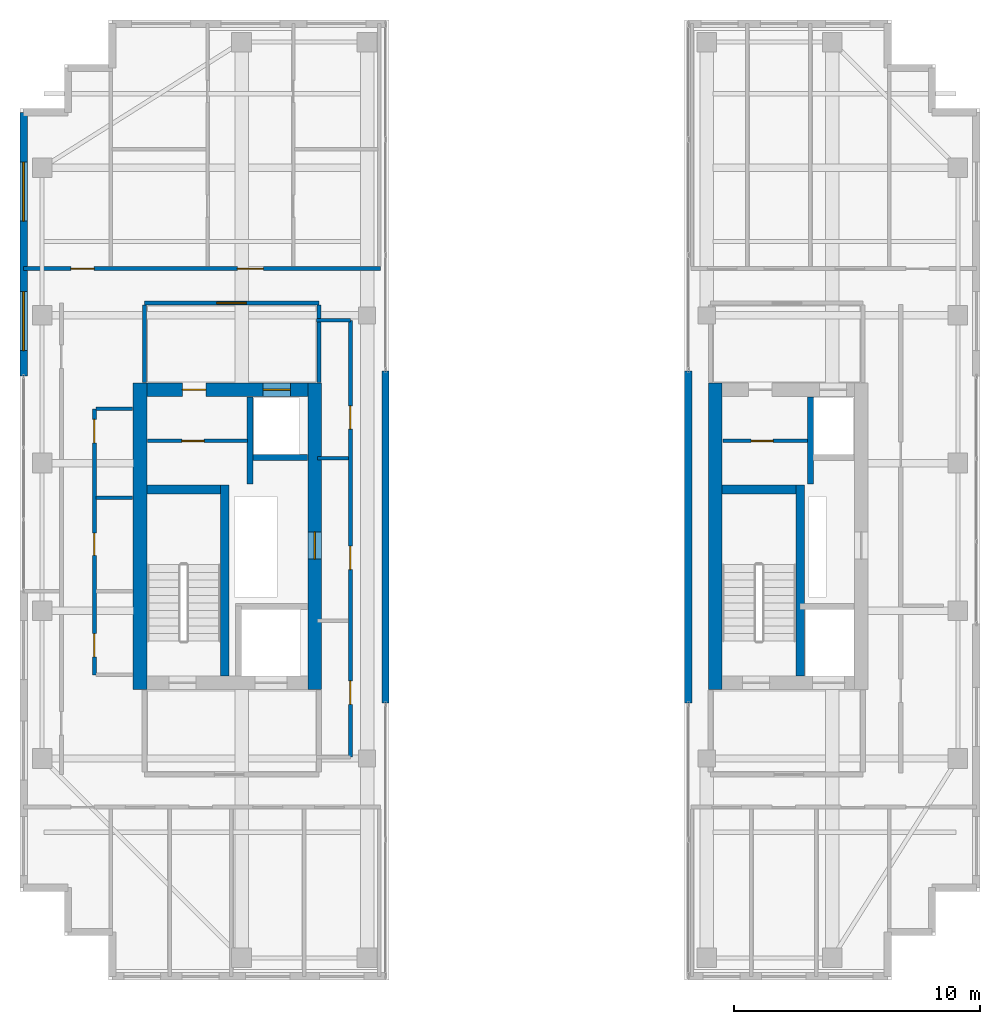
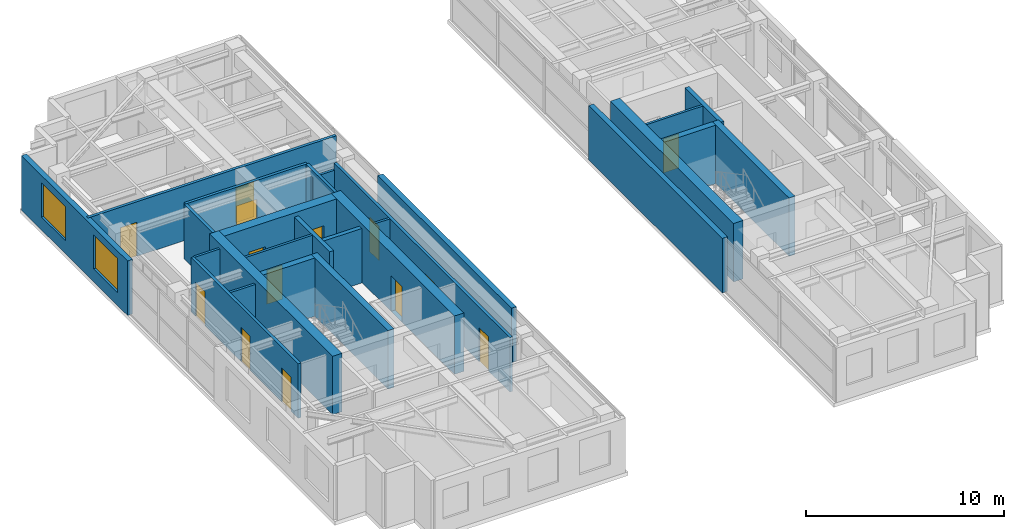
# One storey, part 19 of 23: 26 walls, 14 doors, 2 windows, 16 openings.
"""IFC4 building model written with IfcOpenShell, lengths in metres."""

from ifc_helpers import new_model, si_unit, direction, frame, frame_2d, origin, place, context, subcontext, project, spatial, rectangle, extrude, source, transform, mapped, material, layer, layer_set, type_object, element, fill, save


model = new_model("IFC4")

# Units and contexts
model_context = context("Model", 3, precision=1e-05, world=origin(), true_north=direction((0.0, 1.0)))
body_context = subcontext(model_context, "Body", "Model", "MODEL_VIEW")
ifc_project = project(units=[si_unit("LENGTHUNIT", "METRE"), si_unit("AREAUNIT", "SQUARE_METRE"), si_unit("VOLUMEUNIT", "CUBIC_METRE"), si_unit("PLANEANGLEUNIT", "RADIAN"), si_unit("MASSUNIT", "GRAM", prefix="KILO")], contexts=[model_context])

# Site, building, storey
site_placement = place(None, origin())
site = spatial("IfcSite", under=ifc_project, at=site_placement, CompositionType="ELEMENT")
building_placement = place(site_placement, origin())
building = spatial("IfcBuilding", under=site, at=building_placement, Name="Khoralis Quay Care Tower", CompositionType="ELEMENT")
storey_placement = place(building_placement, frame((0.0, 0.0, 252.89990234375)))
storey = spatial("IfcBuildingStorey", under=building, at=storey_placement, Name="L66", CompositionType="ELEMENT", Elevation=252.89990234375)

# Wall
ifc_material_1 = material(Name="Concrete C65/80", Category="concrete")
ifc_layer_1 = layer(ifc_material_1, 0.550048828125)
ifc_layer_set_1 = layer_set([ifc_layer_1], Name="Concrete C65/80")
wall_type_1 = type_object("IfcWallType", Name="WL-CORE-550", PredefinedType="SHEAR", material=ifc_layer_set_1)
wall_1_placement = place(storey_placement, frame((7.875, 14.800048828125, 0.0), z_axis=(0.0, 0.0, 1.0), x_axis=(0.0, 1.0, 0.0)))
element("IfcWall", 1, at=wall_1_placement, inside=storey, type_object=wall_type_1, Name="L66 WCORE West Shear Wall", PredefinedType="SHEAR", context=body_context, shape_type="SweptSolid", body=[
    extrude(rectangle(XDim=12.449951171875, YDim=0.550048828125, at=frame_2d((6.22509765625, 0.0))), origin(), (0.0, 0.0, 1.0), 3.60009765625),
])

# Wall, opening, door
wall_2_placement = place(storey_placement, frame((14.97509765625, 14.800048828125, 0.0), z_axis=(0.0, 0.0, 1.0), x_axis=(0.0, 1.0, 0.0)))
wall_2 = element("IfcWall", 2, at=wall_2_placement, inside=storey, type_object=wall_type_1, Name="L66 WCORE East Shear Wall", PredefinedType="SHEAR", context=body_context, shape_type="SweptSolid", body=[
    extrude(rectangle(XDim=12.449951171875, YDim=0.550048828125, at=frame_2d((6.22509765625, 0.0))), origin(), (0.0, 0.0, 1.0), 3.60009765625),
])
opening_1_placement = place(wall_2_placement, frame((5.300048828125, 0.0, 0.0)))
opening_1 = element("IfcOpeningElement", 3, at=opening_1_placement, cuts=wall_2, Name="Opening SD1", PredefinedType="OPENING", context=body_context, shape_type="SweptSolid", body=[
    extrude(rectangle(XDim=1.10009765625, YDim=2.199951171875, at=frame_2d((0.550048828125, 1.10009765625))), frame((0.0, 0.28515625, 0.0), z_axis=(0.0, -1.0, 0.0), x_axis=(1.0, 0.0, 0.0)), (0.0, 0.0, 1.0), 0.570068359375),
])
ifc_material_2 = material(Name="Fire-rated painted steel", Category="steel")
door_type_1 = type_object("IfcDoorType", Name="DR-STAIR-1100X2200", OperationType="NOTDEFINED", PredefinedType="DOOR", material=ifc_material_2)
shared_shape_1 = source(origin(), body_context, "Body", "SweptSolid", [
    extrude(rectangle(XDim=1.10009765625, YDim=2.199951171875, at=frame_2d((0.550048828125, 1.10009765625))), frame((0.0, 0.02490234375, 0.0), z_axis=(0.0, -1.0, 0.0), x_axis=(1.0, 0.0, 0.0)), (0.0, 0.0, 1.0), 0.050048828125),
])
door_1_placement = place(opening_1_placement, origin())
door_1 = element("IfcDoor", 4, at=door_1_placement, inside=storey, type_object=door_type_1, Name="L66 West MEP Riser Door", OperationType="SINGLE_SWING_RIGHT", OverallHeight=2.199951171875, OverallWidth=1.10009765625, PredefinedType="DOOR", context=body_context, shape_type="MappedRepresentation", body=[
    mapped(shared_shape_1, transform((0.0, 0.0, 0.0), scale=1.0)),
])
fill(opening_1, door_1)

# Wall, openings, doors
wall_3_placement = place(storey_placement, frame((8.14990234375, 26.97509765625, 0.0), z_axis=(0.0, 0.0, 1.0), x_axis=(1.0, 0.0, 0.0)))
wall_3 = element("IfcWall", 5, at=wall_3_placement, inside=storey, type_object=wall_type_1, Name="L66 WCORE North Shear Wall", PredefinedType="SHEAR", context=body_context, shape_type="SweptSolid", body=[
    extrude(rectangle(XDim=6.550048828125, YDim=0.550048828125, at=frame_2d((3.27490234375, 0.0))), origin(), (0.0, 0.0, 1.0), 3.60009765625),
])
opening_2_placement = place(wall_3_placement, frame((1.449951171875, 0.0, 0.0)))
opening_2 = element("IfcOpeningElement", 6, at=opening_2_placement, cuts=wall_3, Name="Opening ID1", PredefinedType="OPENING", context=body_context, shape_type="SweptSolid", body=[
    extrude(rectangle(XDim=0.949951171875, YDim=2.10009765625, at=frame_2d((0.47509765625, 1.050048828125))), frame((0.0, 0.28515625, 0.0), z_axis=(0.0, -1.0, 0.0), x_axis=(1.0, 0.0, 0.0)), (0.0, 0.0, 1.0), 0.570068359375),
])
opening_3_placement = place(wall_3_placement, frame((4.72998046875, 0.0, 0.0)))
opening_3 = element("IfcOpeningElement", 7, at=opening_3_placement, cuts=wall_3, Name="Opening LD1", PredefinedType="OPENING", context=body_context, shape_type="SweptSolid", body=[
    extrude(rectangle(XDim=1.10009765625, YDim=2.199951171875, at=frame_2d((0.550048828125, 1.10009765625))), frame((0.0, 0.28515625, 0.0), z_axis=(0.0, -1.0, 0.0), x_axis=(1.0, 0.0, 0.0)), (0.0, 0.0, 1.0), 0.570068359375),
])
ifc_material_3 = material(Name="Brushed stainless steel", Category="steel")
door_type_2 = type_object("IfcDoorType", Name="DR-LIFT-1100X2200", OperationType="SLIDING_TO_LEFT", PredefinedType="DOOR", material=ifc_material_3)
shared_shape_2 = source(origin(), body_context, "Body", "SweptSolid", [
    extrude(rectangle(XDim=1.10009765625, YDim=2.199951171875, at=frame_2d((0.550048828125, 1.10009765625))), frame((0.0, 0.02490234375, 0.0), z_axis=(0.0, -1.0, 0.0), x_axis=(1.0, 0.0, 0.0)), (0.0, 0.0, 1.0), 0.050048828125),
])
door_2_placement = place(opening_3_placement, origin())
door_2 = element("IfcDoor", 8, at=door_2_placement, inside=storey, type_object=door_type_2, Name="L66 Lift PLH1 Landing Door", OperationType="SLIDING_TO_LEFT", OverallHeight=2.199951171875, OverallWidth=1.10009765625, PredefinedType="DOOR", context=body_context, shape_type="MappedRepresentation", body=[
    mapped(shared_shape_2, transform((0.0, 0.0, 0.0), scale=1.0)),
])
fill(opening_3, door_2)
ifc_material_4 = material(Name="Acoustic hardwood timber", Category="wood")
door_type_3 = type_object("IfcDoorType", Name="DR-ROOM-950X2100", OperationType="NOTDEFINED", PredefinedType="DOOR", material=ifc_material_4)
shared_shape_3 = source(origin(), body_context, "Body", "SweptSolid", [
    extrude(rectangle(XDim=0.949951171875, YDim=2.10009765625, at=frame_2d((0.47509765625, 1.050048828125))), frame((0.0, 0.02490234375, 0.0), z_axis=(0.0, -1.0, 0.0), x_axis=(1.0, 0.0, 0.0)), (0.0, 0.0, 1.0), 0.050048828125),
])
door_3_placement = place(opening_2_placement, frame((0.949951171875, 0.0, 0.0), z_axis=(0.0, 0.0, 1.0), x_axis=(-1.0, 0.0, 0.0)))
door_3 = element("IfcDoor", 9, at=door_3_placement, inside=storey, type_object=door_type_3, Name="L66 Telemetry Study Door", OperationType="SINGLE_SWING_RIGHT", OverallHeight=2.10009765625, OverallWidth=0.949951171875, PredefinedType="DOOR", context=body_context, shape_type="MappedRepresentation", body=[
    mapped(shared_shape_3, transform((0.0, 0.0, 0.0), scale=1.0)),
])
fill(opening_2, door_3)

# Wall
wall_4_placement = place(storey_placement, frame((31.2451171875, 14.800048828125, 0.0), z_axis=(0.0, 0.0, 1.0), x_axis=(0.0, 1.0, 0.0)))
element("IfcWall", 10, at=wall_4_placement, inside=storey, type_object=wall_type_1, Name="L66 ECORE West Shear Wall", PredefinedType="SHEAR", context=body_context, shape_type="SweptSolid", body=[
    extrude(rectangle(XDim=12.449951171875, YDim=0.550048828125, at=frame_2d((6.22509765625, 0.0))), origin(), (0.0, 0.0, 1.0), 3.60009765625),
])

# Wall, opening, door
ifc_material_5 = material(Name="Gypsum plasterboard on acoustic metal stud")
ifc_layer_2 = layer(ifc_material_5, 0.1650390625)
ifc_layer_set_2 = layer_set([ifc_layer_2], Name="Gypsum plasterboard on acoustic metal stud")
wall_type_2 = type_object("IfcWallType", Name="WL-CORR-165", PredefinedType="PARTITIONING", material=ifc_layer_set_2)
wall_5_placement = place(storey_placement, frame((8.050048828125, 30.5, 0.0), z_axis=(0.0, 0.0, 1.0), x_axis=(1.0, 0.0, 0.0)))
wall_5 = element("IfcWall", 11, at=wall_5_placement, inside=storey, type_object=wall_type_2, Name="L66 West Lift Lobby North Wall", PredefinedType="PARTITIONING", context=body_context, shape_type="SweptSolid", body=[
    extrude(rectangle(XDim=7.099853515625, YDim=0.1650390625, at=frame_2d((3.5498046875, 0.0))), origin(), (0.0, 0.0, 1.0), 3.360107421875),
])
opening_4_placement = place(wall_5_placement, frame((2.949951171875, 0.0, 0.0)))
opening_4 = element("IfcOpeningElement", 12, at=opening_4_placement, cuts=wall_5, Name="Opening FD1", PredefinedType="OPENING", context=body_context, shape_type="SweptSolid", body=[
    extrude(rectangle(XDim=1.199951171875, YDim=2.199951171875, at=frame_2d((0.60009765625, 1.10009765625))), frame((0.0, 0.092529296875, 0.0), z_axis=(0.0, -1.0, 0.0), x_axis=(1.0, 0.0, 0.0)), (0.0, 0.0, 1.0), 0.18505859375),
])
door_type_4 = type_object("IfcDoorType", Name="DR-FFL-1200X2200", OperationType="NOTDEFINED", PredefinedType="DOOR", material=ifc_material_2)
shared_shape_4 = source(origin(), body_context, "Body", "SweptSolid", [
    extrude(rectangle(XDim=1.199951171875, YDim=2.199951171875, at=frame_2d((0.60009765625, 1.10009765625))), frame((0.0, 0.02490234375, 0.0), z_axis=(0.0, -1.0, 0.0), x_axis=(1.0, 0.0, 0.0)), (0.0, 0.0, 1.0), 0.050048828125),
])
door_4_placement = place(opening_4_placement, origin())
door_4 = element("IfcDoor", 13, at=door_4_placement, inside=storey, type_object=door_type_4, Name="L66 West Lift Lobby Double Door", OperationType="DOUBLE_DOOR_SINGLE_SWING", OverallHeight=2.199951171875, OverallWidth=1.199951171875, PredefinedType="DOOR", context=body_context, shape_type="MappedRepresentation", body=[
    mapped(shared_shape_4, transform((0.0, 0.0, 0.0), scale=1.0)),
])
fill(opening_4, door_4)

# Walls
for number, where, z_axis, x_axis, name in (
    (14, (8.050048828125, 27.27001953125, 0.0), (0.0, 0.0, 1.0), (0.0, 1.0, 0.0), "L66 West Lift Lobby West Wall"),
    (15, (15.14990234375, 27.27001953125, 0.0), (0.0, 0.0, 1.0), (0.0, 1.0, 0.0), "L66 West Lift Lobby East Wall"),
):
    element("IfcWall", number, at=place(storey_placement, frame(where, z_axis=z_axis, x_axis=x_axis)), inside=storey, type_object=wall_type_2, Name=name, PredefinedType="PARTITIONING", context=body_context, shape_type="SweptSolid", body=[
        extrude(rectangle(XDim=3.152587890625, YDim=0.1650390625, at=frame_2d((1.576171875, 0.0))), origin(), (0.0, 0.0, 1.0), 3.360107421875),
    ])

# Wall, openings, doors
wall_6_placement = place(storey_placement, frame((6.02001953125, 15.39990234375, 0.0), z_axis=(0.0, 0.0, 1.0), x_axis=(0.0, 1.0, 0.0)))
wall_6 = element("IfcWall", 16, at=wall_6_placement, inside=storey, type_object=wall_type_2, Name="L66 West Core Service Flank Wall", PredefinedType="PARTITIONING", context=body_context, shape_type="SweptSolid", body=[
    extrude(rectangle(XDim=10.800048828125, YDim=0.1650390625, at=frame_2d((5.39990234375, 0.0))), origin(), (0.0, 0.0, 1.0), 3.360107421875),
])
opening_5_placement = place(wall_6_placement, frame((0.72509765625, 0.0, 0.0)))
opening_5 = element("IfcOpeningElement", 17, at=opening_5_placement, cuts=wall_6, Name="Opening ID1", PredefinedType="OPENING", context=body_context, shape_type="SweptSolid", body=[
    extrude(rectangle(XDim=0.949951171875, YDim=2.10009765625, at=frame_2d((0.47509765625, 1.050048828125))), frame((0.0, 0.092529296875, 0.0), z_axis=(0.0, -1.0, 0.0), x_axis=(1.0, 0.0, 0.0)), (0.0, 0.0, 1.0), 0.18505859375),
])
opening_6_placement = place(wall_6_placement, frame((4.85009765625, 0.0, 0.0)))
opening_6 = element("IfcOpeningElement", 18, at=opening_6_placement, cuts=wall_6, Name="Opening WD1", PredefinedType="OPENING", context=body_context, shape_type="SweptSolid", body=[
    extrude(rectangle(XDim=0.89990234375, YDim=2.10009765625, at=frame_2d((0.449951171875, 1.050048828125))), frame((0.0, 0.092529296875, 0.0), z_axis=(0.0, -1.0, 0.0), x_axis=(1.0, 0.0, 0.0)), (0.0, 0.0, 1.0), 0.18505859375),
])
opening_7_placement = place(wall_6_placement, frame((9.425048828125, 0.0, 0.0)))
opening_7 = element("IfcOpeningElement", 19, at=opening_7_placement, cuts=wall_6, Name="Opening ID1", PredefinedType="OPENING", context=body_context, shape_type="SweptSolid", body=[
    extrude(rectangle(XDim=0.949951171875, YDim=2.10009765625, at=frame_2d((0.47509765625, 1.050048828125))), frame((0.0, 0.092529296875, 0.0), z_axis=(0.0, -1.0, 0.0), x_axis=(1.0, 0.0, 0.0)), (0.0, 0.0, 1.0), 0.18505859375),
])
door_type_5 = type_object("IfcDoorType", Name="DR-BATH-900X2100", OperationType="NOTDEFINED", PredefinedType="DOOR", material=ifc_material_4)
shared_shape_5 = source(origin(), body_context, "Body", "SweptSolid", [
    extrude(rectangle(XDim=0.89990234375, YDim=2.10009765625, at=frame_2d((0.449951171875, 1.050048828125))), frame((0.0, 0.02490234375, 0.0), z_axis=(0.0, -1.0, 0.0), x_axis=(1.0, 0.0, 0.0)), (0.0, 0.0, 1.0), 0.050048828125),
])
door_5_placement = place(opening_6_placement, frame((0.89990234375, 0.0, 0.0), z_axis=(0.0, 0.0, 1.0), x_axis=(-1.0, 0.0, 0.0)))
door_5 = element("IfcDoor", 20, at=door_5_placement, inside=storey, type_object=door_type_5, Name="L66 Public Accessible WC Door", OperationType="SINGLE_SWING_RIGHT", OverallHeight=2.10009765625, OverallWidth=0.89990234375, PredefinedType="DOOR", context=body_context, shape_type="MappedRepresentation", body=[
    mapped(shared_shape_5, transform((0.0, 0.0, 0.0), scale=1.0)),
])
fill(opening_6, door_5)
door_6_placement = place(opening_5_placement, frame((0.949951171875, 0.0, 0.0), z_axis=(0.0, 0.0, 1.0), x_axis=(-1.0, 0.0, 0.0)))
door_6 = element("IfcDoor", 21, at=door_6_placement, inside=storey, type_object=door_type_3, Name="L66 Clean Utility Store Door", OperationType="SINGLE_SWING_LEFT", OverallHeight=2.10009765625, OverallWidth=0.949951171875, PredefinedType="DOOR", context=body_context, shape_type="MappedRepresentation", body=[
    mapped(shared_shape_3, transform((0.0, 0.0, 0.0), scale=1.0)),
])
fill(opening_5, door_6)
door_7_placement = place(opening_7_placement, frame((0.949951171875, 0.0, 0.0), z_axis=(0.0, 0.0, 1.0), x_axis=(-1.0, 0.0, 0.0)))
door_7 = element("IfcDoor", 22, at=door_7_placement, inside=storey, type_object=door_type_3, Name="L66 Electrical Switchboard Room Door", OperationType="SINGLE_SWING_LEFT", OverallHeight=2.10009765625, OverallWidth=0.949951171875, PredefinedType="DOOR", context=body_context, shape_type="MappedRepresentation", body=[
    mapped(shared_shape_3, transform((0.0, 0.0, 0.0), scale=1.0)),
])
fill(opening_7, door_7)

wall_7_placement = place(storey_placement, frame((3.14501953125, 31.89990234375, 0.0), z_axis=(0.0, 0.0, 1.0), x_axis=(1.0, 0.0, 0.0)))
wall_7 = element("IfcWall", 23, at=wall_7_placement, inside=storey, type_object=wall_type_2, Name="L66 West Wing North Corridor Wall", PredefinedType="PARTITIONING", context=body_context, shape_type="SweptSolid", body=[
    extrude(rectangle(XDim=14.5048828125, YDim=0.1650390625, at=frame_2d((7.25244140625, 0.0))), origin(), (0.0, 0.0, 1.0), 3.360107421875),
])
opening_8_placement = place(wall_7_placement, frame((8.6884765625, 0.0, 0.0)))
opening_8 = element("IfcOpeningElement", 24, at=opening_8_placement, cuts=wall_7, Name="Opening UD1", PredefinedType="OPENING", context=body_context, shape_type="SweptSolid", body=[
    extrude(rectangle(XDim=1.050048828125, YDim=2.14990234375, at=frame_2d((0.52490234375, 1.074951171875))), frame((0.0, 0.092529296875, 0.0), z_axis=(0.0, -1.0, 0.0), x_axis=(1.0, 0.0, 0.0)), (0.0, 0.0, 1.0), 0.18505859375),
])
opening_9_placement = place(wall_7_placement, frame((1.919921875, 0.0, 0.0)))
opening_9 = element("IfcOpeningElement", 25, at=opening_9_placement, cuts=wall_7, Name="Opening ID1", PredefinedType="OPENING", context=body_context, shape_type="SweptSolid", body=[
    extrude(rectangle(XDim=0.949951171875, YDim=2.10009765625, at=frame_2d((0.47509765625, 1.050048828125))), frame((0.0, 0.092529296875, 0.0), z_axis=(0.0, -1.0, 0.0), x_axis=(1.0, 0.0, 0.0)), (0.0, 0.0, 1.0), 0.18505859375),
])
door_8_placement = place(opening_9_placement, origin())
door_8 = element("IfcDoor", 26, at=door_8_placement, inside=storey, type_object=door_type_3, Name="L66 NW Corner Door", OperationType="SINGLE_SWING_RIGHT", OverallHeight=2.10009765625, OverallWidth=0.949951171875, PredefinedType="DOOR", context=body_context, shape_type="MappedRepresentation", body=[
    mapped(shared_shape_3, transform((0.0, 0.0, 0.0), scale=1.0)),
])
fill(opening_9, door_8)
door_type_6 = type_object("IfcDoorType", Name="DR-SUITE-1050X2150", OperationType="NOTDEFINED", PredefinedType="DOOR", material=ifc_material_4)
shared_shape_6 = source(origin(), body_context, "Body", "SweptSolid", [
    extrude(rectangle(XDim=1.050048828125, YDim=2.14990234375, at=frame_2d((0.52490234375, 1.074951171875))), frame((0.0, 0.02490234375, 0.0), z_axis=(0.0, -1.0, 0.0), x_axis=(1.0, 0.0, 0.0)), (0.0, 0.0, 1.0), 0.050048828125),
])
door_9_placement = place(opening_8_placement, origin())
door_9 = element("IfcDoor", 27, at=door_9_placement, inside=storey, type_object=door_type_6, Name="L66 2BR WN0 Entrance", OperationType="SINGLE_SWING_LEFT", OverallHeight=2.14990234375, OverallWidth=1.050048828125, PredefinedType="DOOR", context=body_context, shape_type="MappedRepresentation", body=[
    mapped(shared_shape_6, transform((0.0, 0.0, 0.0), scale=1.0)),
])
fill(opening_8, door_9)

wall_8_placement = place(storey_placement, frame((16.419921875, 12.050048828125, 0.0), z_axis=(0.0, 0.0, 1.0), x_axis=(0.0, 1.0, 0.0)))
wall_8 = element("IfcWall", 28, at=wall_8_placement, inside=storey, type_object=wall_type_2, Name="L66 Portal Gallery Wall", PredefinedType="PARTITIONING", context=body_context, shape_type="SweptSolid", body=[
    extrude(rectangle(XDim=17.75, YDim=0.1650390625, at=frame_2d((8.875, 0.0))), origin(), (0.0, 0.0, 1.0), 3.360107421875),
])
opening_10_placement = place(wall_8_placement, frame((2.14990234375, 0.0, 0.0)))
opening_10 = element("IfcOpeningElement", 29, at=opening_10_placement, cuts=wall_8, Name="Opening ID1", PredefinedType="OPENING", context=body_context, shape_type="SweptSolid", body=[
    extrude(rectangle(XDim=0.949951171875, YDim=2.10009765625, at=frame_2d((0.47509765625, 1.050048828125))), frame((0.0, 0.092529296875, 0.0), z_axis=(0.0, -1.0, 0.0), x_axis=(1.0, 0.0, 0.0)), (0.0, 0.0, 1.0), 0.18505859375),
])
opening_11_placement = place(wall_8_placement, frame((7.625, 0.0, 0.0)))
opening_11 = element("IfcOpeningElement", 30, at=opening_11_placement, cuts=wall_8, Name="Opening ID1", PredefinedType="OPENING", context=body_context, shape_type="SweptSolid", body=[
    extrude(rectangle(XDim=0.949951171875, YDim=2.10009765625, at=frame_2d((0.47509765625, 1.050048828125))), frame((0.0, 0.092529296875, 0.0), z_axis=(0.0, -1.0, 0.0), x_axis=(1.0, 0.0, 0.0)), (0.0, 0.0, 1.0), 0.18505859375),
])
opening_12_placement = place(wall_8_placement, frame((13.324951171875, 0.0, 0.0)))
opening_12 = element("IfcOpeningElement", 31, at=opening_12_placement, cuts=wall_8, Name="Opening ID1", PredefinedType="OPENING", context=body_context, shape_type="SweptSolid", body=[
    extrude(rectangle(XDim=0.949951171875, YDim=2.10009765625, at=frame_2d((0.47509765625, 1.050048828125))), frame((0.0, 0.092529296875, 0.0), z_axis=(0.0, -1.0, 0.0), x_axis=(1.0, 0.0, 0.0)), (0.0, 0.0, 1.0), 0.18505859375),
])
door_10_placement = place(opening_10_placement, frame((0.949951171875, 0.0, 0.0), z_axis=(0.0, 0.0, 1.0), x_axis=(-1.0, 0.0, 0.0)))
door_10 = element("IfcDoor", 32, at=door_10_placement, inside=storey, type_object=door_type_3, Name="L66 Portal Case Meeting Room Door", OperationType="SINGLE_SWING_LEFT", OverallHeight=2.10009765625, OverallWidth=0.949951171875, PredefinedType="DOOR", context=body_context, shape_type="MappedRepresentation", body=[
    mapped(shared_shape_3, transform((0.0, 0.0, 0.0), scale=1.0)),
])
fill(opening_10, door_10)
door_11_placement = place(opening_11_placement, frame((0.949951171875, 0.0, 0.0), z_axis=(0.0, 0.0, 1.0), x_axis=(-1.0, 0.0, 0.0)))
door_11 = element("IfcDoor", 33, at=door_11_placement, inside=storey, type_object=door_type_3, Name="L66 Portal Pharmacy Kiosk Door", OperationType="SINGLE_SWING_LEFT", OverallHeight=2.10009765625, OverallWidth=0.949951171875, PredefinedType="DOOR", context=body_context, shape_type="MappedRepresentation", body=[
    mapped(shared_shape_3, transform((0.0, 0.0, 0.0), scale=1.0)),
])
fill(opening_11, door_11)
door_12_placement = place(opening_12_placement, frame((0.949951171875, 0.0, 0.0), z_axis=(0.0, 0.0, 1.0), x_axis=(-1.0, 0.0, 0.0)))
door_12 = element("IfcDoor", 34, at=door_12_placement, inside=storey, type_object=door_type_3, Name="L66 Portal Consultation Clinic Door", OperationType="SINGLE_SWING_LEFT", OverallHeight=2.10009765625, OverallWidth=0.949951171875, PredefinedType="DOOR", context=body_context, shape_type="MappedRepresentation", body=[
    mapped(shared_shape_3, transform((0.0, 0.0, 0.0), scale=1.0)),
])
fill(opening_12, door_12)

# Wall
ifc_material_6 = material(Name="Precast concrete C45/55", Category="concrete")
ifc_layer_3 = layer(ifc_material_6, 0.300048828125)
ifc_layer_set_3 = layer_set([ifc_layer_3], Name="Precast concrete C45/55")
wall_type_3 = type_object("IfcWallType", Name="WL-EXT-REF-300", PredefinedType="SOLIDWALL", material=ifc_layer_set_3)
wall_9_placement = place(storey_placement, frame((17.85009765625, 14.25, 0.0), z_axis=(0.0, 0.0, 1.0), x_axis=(0.0, 1.0, 0.0)))
element("IfcWall", 35, at=wall_9_placement, inside=storey, type_object=wall_type_3, Name="L66 External Facade Wall WL-VP-L66-P1-M", PredefinedType="SOLIDWALL", context=body_context, shape_type="SweptSolid", body=[
    extrude(rectangle(XDim=13.5, YDim=0.300048828125, at=frame_2d((6.75, 0.0))), origin(), (0.0, 0.0, 1.0), 3.360107421875),
])

# Wall, openings, windows
wall_10_placement = place(storey_placement, frame((3.14990234375, 38.25, 0.0), z_axis=(0.0, 0.0, 1.0), x_axis=(0.0, -1.0, 0.0)))
wall_10 = element("IfcWall", 36, at=wall_10_placement, inside=storey, type_object=wall_type_3, Name="L66 External Facade Wall WL-EXT-L66-P1-E7A", PredefinedType="SOLIDWALL", context=body_context, shape_type="SweptSolid", body=[
    extrude(rectangle(XDim=10.7099609375, YDim=0.300048828125, at=frame_2d((5.35498046875, 0.0))), origin(), (0.0, 0.0, 1.0), 3.360107421875),
])
opening_13_placement = place(wall_10_placement, frame((2.02490234375, 0.0, 0.800048828125)))
opening_13 = element("IfcOpeningElement", 37, at=opening_13_placement, cuts=wall_10, Name="Opening W1", PredefinedType="OPENING", context=body_context, shape_type="SweptSolid", body=[
    extrude(rectangle(XDim=2.39990234375, YDim=2.10009765625, at=frame_2d((1.199951171875, 1.050048828125))), frame((0.0, 0.16015625, 0.0), z_axis=(0.0, -1.0, 0.0), x_axis=(1.0, 0.0, 0.0)), (0.0, 0.0, 1.0), 0.320068359375),
])
opening_14_placement = place(wall_10_placement, frame((7.280029296875, 0.0, 0.800048828125)))
opening_14 = element("IfcOpeningElement", 38, at=opening_14_placement, cuts=wall_10, Name="Opening W1", PredefinedType="OPENING", context=body_context, shape_type="SweptSolid", body=[
    extrude(rectangle(XDim=2.39990234375, YDim=2.10009765625, at=frame_2d((1.199951171875, 1.050048828125))), frame((0.0, 0.16015625, 0.0), z_axis=(0.0, -1.0, 0.0), x_axis=(1.0, 0.0, 0.0)), (0.0, 0.0, 1.0), 0.320068359375),
])
ifc_material_7 = material(Name="Low-E solar-control double glazing", Category="glass")
window_type = type_object("IfcWindowType", Name="WN-POD-2400X2100", PartitioningType="SINGLE_PANEL", PredefinedType="WINDOW", material=ifc_material_7)
shared_shape_7 = source(origin(), body_context, "Body", "SweptSolid", [
    extrude(rectangle(XDim=2.39990234375, YDim=2.10009765625, at=frame_2d((1.199951171875, 1.050048828125))), frame((0.0, 0.030029296875, 0.0), z_axis=(0.0, -1.0, 0.0), x_axis=(1.0, 0.0, 0.0)), (0.0, 0.0, 1.0), 0.06005859375),
])
window_1_placement = place(opening_13_placement, origin())
window_1 = element("IfcWindow", 39, at=window_1_placement, inside=storey, type_object=window_type, Name="WN-L66-P1-E7A Facade Window 01", OverallHeight=2.10009765625, OverallWidth=2.39990234375, PartitioningType="SINGLE_PANEL", PredefinedType="WINDOW", context=body_context, shape_type="MappedRepresentation", body=[
    mapped(shared_shape_7, transform((0.0, 0.0, 0.0), scale=1.0)),
])
fill(opening_13, window_1)
window_2_placement = place(opening_14_placement, origin())
window_2 = element("IfcWindow", 40, at=window_2_placement, inside=storey, type_object=window_type, Name="WN-L66-P1-E7A Facade Window 02", OverallHeight=2.10009765625, OverallWidth=2.39990234375, PartitioningType="SINGLE_PANEL", PredefinedType="WINDOW", context=body_context, shape_type="MappedRepresentation", body=[
    mapped(shared_shape_7, transform((0.0, 0.0, 0.0), scale=1.0)),
])
fill(opening_14, window_2)

# Walls
wall_11_placement = place(storey_placement, frame((30.14990234375, 14.25, 0.0), z_axis=(0.0, 0.0, 1.0), x_axis=(0.0, 1.0, 0.0)))
element("IfcWall", 41, at=wall_11_placement, inside=storey, type_object=wall_type_3, Name="L66 External Facade Wall WL-VP-L66-P2-M", PredefinedType="SOLIDWALL", context=body_context, shape_type="SweptSolid", body=[
    extrude(rectangle(XDim=13.5, YDim=0.300048828125, at=frame_2d((6.75, 0.0))), origin(), (0.0, 0.0, 1.0), 3.360107421875),
])
ifc_material_8 = material(Name="Concrete C40/50", Category="concrete")
ifc_layer_4 = layer(ifc_material_8, 0.35009765625)
ifc_layer_set_4 = layer_set([ifc_layer_4], Name="Concrete C40/50")
wall_type_4 = type_object("IfcWallType", Name="WL-SC-CORE-350", PredefinedType="SHEAR", material=ifc_layer_set_4)
wall_12_placement = place(storey_placement, frame((11.324951171875, 15.35009765625, 0.0), z_axis=(0.0, 0.0, 1.0), x_axis=(0.0, 1.0, 0.0)))
element("IfcWall", 42, at=wall_12_placement, inside=storey, type_object=wall_type_4, Name="L66 Stair ST-T1 Shear Baffle Wall East", PredefinedType="SHEAR", context=body_context, shape_type="SweptSolid", body=[
    extrude(rectangle(XDim=7.75, YDim=0.35009765625, at=frame_2d((3.875, 0.0))), origin(), (0.0, 0.0, 1.0), 3.60009765625),
])
wall_13_placement = place(storey_placement, frame((8.14990234375, 22.925048828125, 0.0), z_axis=(0.0, 0.0, 1.0), x_axis=(1.0, 0.0, 0.0)))
element("IfcWall", 43, at=wall_13_placement, inside=storey, type_object=wall_type_4, Name="L66 Stair ST-T1 Shear Baffle Wall North", PredefinedType="SHEAR", context=body_context, shape_type="SweptSolid", body=[
    extrude(rectangle(XDim=3.0, YDim=0.35009765625, at=frame_2d((1.5, 0.0))), origin(), (0.0, 0.0, 1.0), 3.60009765625),
])
wall_14_placement = place(storey_placement, frame((34.695068359375, 15.35009765625, 0.0), z_axis=(0.0, 0.0, 1.0), x_axis=(0.0, 1.0, 0.0)))
element("IfcWall", 44, at=wall_14_placement, inside=storey, type_object=wall_type_4, Name="L66 Stair ST-T2 Shear Baffle Wall East", PredefinedType="SHEAR", context=body_context, shape_type="SweptSolid", body=[
    extrude(rectangle(XDim=7.75, YDim=0.35009765625, at=frame_2d((3.875, 0.0))), origin(), (0.0, 0.0, 1.0), 3.60009765625),
])
wall_15_placement = place(storey_placement, frame((31.52001953125, 22.925048828125, 0.0), z_axis=(0.0, 0.0, 1.0), x_axis=(1.0, 0.0, 0.0)))
element("IfcWall", 45, at=wall_15_placement, inside=storey, type_object=wall_type_4, Name="L66 Stair ST-T2 Shear Baffle Wall North", PredefinedType="SHEAR", context=body_context, shape_type="SweptSolid", body=[
    extrude(rectangle(XDim=3.0, YDim=0.35009765625, at=frame_2d((1.5, 0.0))), origin(), (0.0, 0.0, 1.0), 3.60009765625),
])
ifc_layer_5 = layer(ifc_material_5, 0.239990234375)
ifc_layer_set_5 = layer_set([ifc_layer_5], Name="Gypsum plasterboard on acoustic metal stud")
wall_type_5 = type_object("IfcWallType", Name="WL-SHAFT-240", PredefinedType="PARTITIONING", material=ifc_layer_set_5)
wall_16_placement = place(storey_placement, frame((12.35009765625, 23.139892578125, 0.0), z_axis=(0.0, 0.0, 1.0), x_axis=(0.0, 1.0, 0.0)))
element("IfcWall", 46, at=wall_16_placement, inside=storey, type_object=wall_type_5, Name="L66 High-Rise Reclaimed Bay Wall West", PredefinedType="PARTITIONING", context=body_context, shape_type="SweptSolid", body=[
    extrude(rectangle(XDim=3.5400390625, YDim=0.239990234375, at=frame_2d((1.77001953125, 0.0))), origin(), (0.0, 0.0, 1.0), 3.360107421875),
])
wall_17_placement = place(storey_placement, frame((12.465087890625, 24.22998046875, 0.0), z_axis=(0.0, 0.0, 1.0), x_axis=(1.0, 0.0, 0.0)))
element("IfcWall", 47, at=wall_17_placement, inside=storey, type_object=wall_type_5, Name="L66 High-Rise Shaft South Wall West", PredefinedType="PARTITIONING", context=body_context, shape_type="SweptSolid", body=[
    extrude(rectangle(XDim=2.21484375, YDim=0.239990234375, at=frame_2d((1.107421875, 0.0))), origin(), (0.0, 0.0, 1.0), 3.360107421875),
])
wall_18_placement = place(storey_placement, frame((35.110107421875, 23.139892578125, 0.0), z_axis=(0.0, 0.0, 1.0), x_axis=(0.0, 1.0, 0.0)))
element("IfcWall", 48, at=wall_18_placement, inside=storey, type_object=wall_type_5, Name="L66 High-Rise Reclaimed Bay Wall East", PredefinedType="PARTITIONING", context=body_context, shape_type="SweptSolid", body=[
    extrude(rectangle(XDim=3.5400390625, YDim=0.239990234375, at=frame_2d((1.77001953125, 0.0))), origin(), (0.0, 0.0, 1.0), 3.360107421875),
])

# Wall, opening, door
ifc_layer_6 = layer(ifc_material_5, 0.139892578125)
ifc_layer_set_6 = layer_set([ifc_layer_6], Name="Gypsum plasterboard on acoustic metal stud")
wall_type_6 = type_object("IfcWallType", Name="WL-UNIT-140", PredefinedType="PARTITIONING", material=ifc_layer_set_6)
wall_19_placement = place(storey_placement, frame((8.179931640625, 24.89990234375, 0.0), z_axis=(0.0, 0.0, 1.0), x_axis=(1.0, 0.0, 0.0)))
wall_19 = element("IfcWall", 49, at=wall_19_placement, inside=storey, type_object=wall_type_6, Name="L66 High-Rise West Core Split H", PredefinedType="PARTITIONING", context=body_context, shape_type="SweptSolid", body=[
    extrude(rectangle(XDim=4.05517578125, YDim=0.139892578125, at=frame_2d((2.027587890625, 0.0))), origin(), (0.0, 0.0, 1.0), 3.360107421875),
])
opening_15_placement = place(wall_19_placement, frame((1.39990234375, 0.0, 0.0)))
opening_15 = element("IfcOpeningElement", 50, at=opening_15_placement, cuts=wall_19, Name="Opening WD1", PredefinedType="OPENING", context=body_context, shape_type="SweptSolid", body=[
    extrude(rectangle(XDim=0.89990234375, YDim=2.10009765625, at=frame_2d((0.449951171875, 1.050048828125))), frame((0.0, 0.080078125, 0.0), z_axis=(0.0, -1.0, 0.0), x_axis=(1.0, 0.0, 0.0)), (0.0, 0.0, 1.0), 0.159912109375),
])
door_13_placement = place(opening_15_placement, frame((0.89990234375, 0.0, 0.0), z_axis=(0.0, 0.0, 1.0), x_axis=(-1.0, 0.0, 0.0)))
door_13 = element("IfcDoor", 51, at=door_13_placement, inside=storey, type_object=door_type_5, Name="L66 Medical Supply Door", OperationType="SINGLE_SWING_RIGHT", OverallHeight=2.10009765625, OverallWidth=0.89990234375, PredefinedType="DOOR", context=body_context, shape_type="MappedRepresentation", body=[
    mapped(shared_shape_5, transform((0.0, 0.0, 0.0), scale=1.0)),
])
fill(opening_15, door_13)

wall_20_placement = place(storey_placement, frame((31.550048828125, 24.89990234375, 0.0), z_axis=(0.0, 0.0, 1.0), x_axis=(1.0, 0.0, 0.0)))
wall_20 = element("IfcWall", 52, at=wall_20_placement, inside=storey, type_object=wall_type_6, Name="L66 High-Rise East Core Split H", PredefinedType="PARTITIONING", context=body_context, shape_type="SweptSolid", body=[
    extrude(rectangle(XDim=3.445068359375, YDim=0.139892578125, at=frame_2d((1.72265625, 0.0))), origin(), (0.0, 0.0, 1.0), 3.360107421875),
])
opening_16_placement = place(wall_20_placement, frame((1.14990234375, 0.0, 0.0)))
opening_16 = element("IfcOpeningElement", 53, at=opening_16_placement, cuts=wall_20, Name="Opening WD1", PredefinedType="OPENING", context=body_context, shape_type="SweptSolid", body=[
    extrude(rectangle(XDim=0.89990234375, YDim=2.10009765625, at=frame_2d((0.449951171875, 1.050048828125))), frame((0.0, 0.080078125, 0.0), z_axis=(0.0, -1.0, 0.0), x_axis=(1.0, 0.0, 0.0)), (0.0, 0.0, 1.0), 0.159912109375),
])
door_14_placement = place(opening_16_placement, frame((0.89990234375, 0.0, 0.0), z_axis=(0.0, 0.0, 1.0), x_axis=(-1.0, 0.0, 0.0)))
door_14 = element("IfcDoor", 54, at=door_14_placement, inside=storey, type_object=door_type_5, Name="L66 Rehab Store Door", OperationType="SINGLE_SWING_LEFT", OverallHeight=2.10009765625, OverallWidth=0.89990234375, PredefinedType="DOOR", context=body_context, shape_type="MappedRepresentation", body=[
    mapped(shared_shape_5, transform((0.0, 0.0, 0.0), scale=1.0)),
])
fill(opening_16, door_14)

# Walls
for number, where, z_axis, x_axis, name in (
    (55, (6.097412109375, 26.199951171875, 0.0), (0.0, 0.0, 1.0), (1.0, 0.0, 0.0), "L66 West Flank North Cap"),
    (56, (6.097412109375, 22.60009765625, 0.0), (0.0, 0.0, 1.0), (1.0, 0.0, 0.0), "L66 West Flank Divider 2"),
):
    element("IfcWall", number, at=place(storey_placement, frame(where, z_axis=z_axis, x_axis=x_axis)), inside=storey, type_object=wall_type_6, Name=name, PredefinedType="PARTITIONING", context=body_context, shape_type="SweptSolid", body=[
        extrude(rectangle(XDim=1.462646484375, YDim=0.139892578125, at=frame_2d((0.7314453125, 0.0))), origin(), (0.0, 0.0, 1.0), 3.360107421875),
    ])
wall_21_placement = place(storey_placement, frame((15.080078125, 24.199951171875, 0.0), z_axis=(0.0, 0.0, 1.0), x_axis=(1.0, 0.0, 0.0)))
element("IfcWall", 57, at=wall_21_placement, inside=storey, type_object=wall_type_6, Name="L66 Portal Divider 2", PredefinedType="PARTITIONING", context=body_context, shape_type="SweptSolid", body=[
    extrude(rectangle(XDim=1.262451171875, YDim=0.139892578125, at=frame_2d((0.63134765625, 0.0))), origin(), (0.0, 0.0, 1.0), 3.360107421875),
])
wall_22_placement = place(storey_placement, frame((15.050048828125, 29.800048828125, 0.0), z_axis=(0.0, 0.0, 1.0), x_axis=(1.0, 0.0, 0.0)))
element("IfcWall", 58, at=wall_22_placement, inside=storey, type_object=wall_type_6, Name="L66 Portal Alcove North Wall", PredefinedType="PARTITIONING", context=body_context, shape_type="SweptSolid", body=[
    extrude(rectangle(XDim=1.369873046875, YDim=0.139892578125, at=frame_2d((0.68505859375, 0.0))), origin(), (0.0, 0.0, 1.0), 2.960205078125),
])

save(model, "model.ifc")
